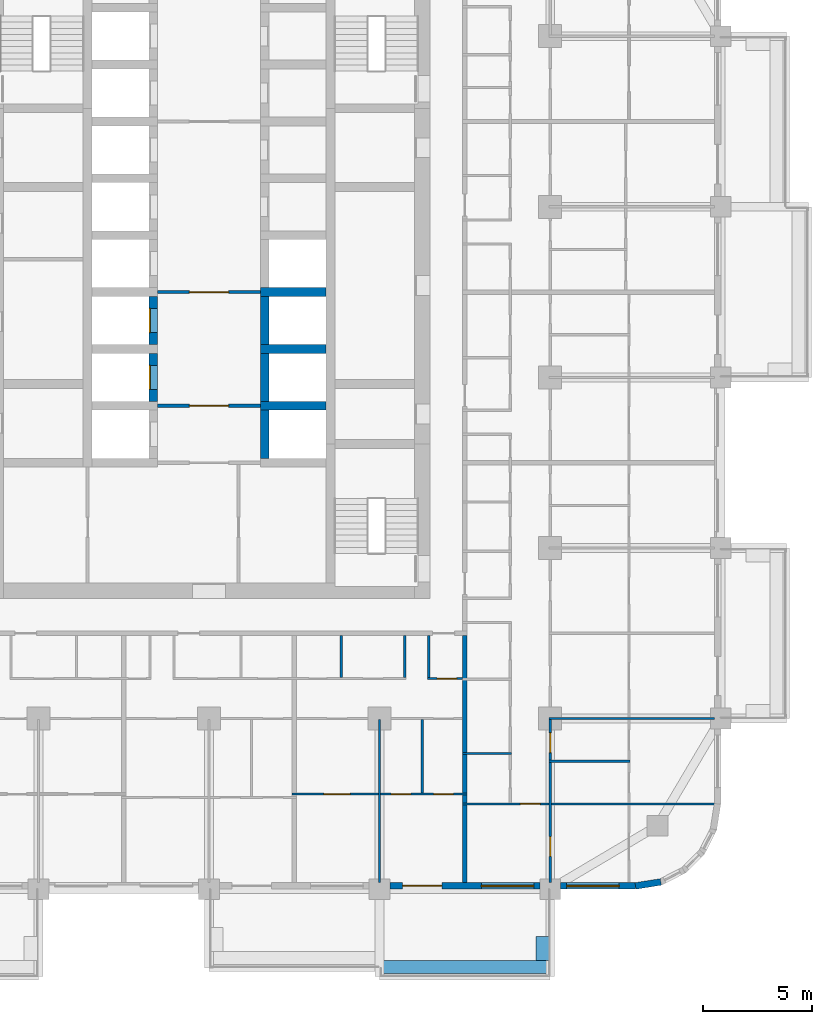
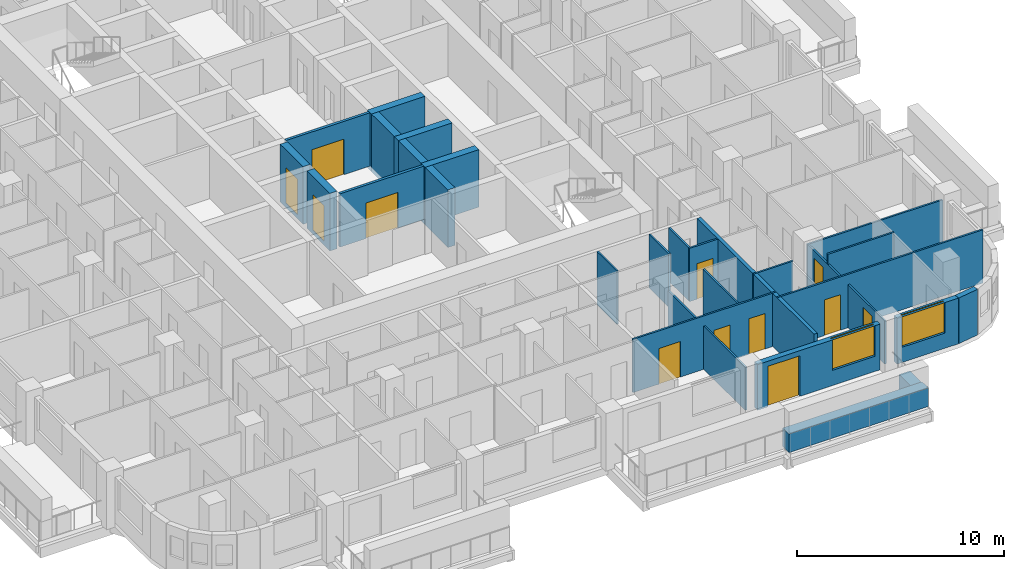
# One storey, part 7 of 18: 28 walls, 12 doors, 2 windows, 14 openings.
"""IFC4 building model written with IfcOpenShell, lengths in metres."""

from ifc_helpers import new_model, si_unit, direction, frame, frame_2d, origin, place, context, subcontext, project, spatial, rectangle, extrude, material, layer, layer_set, type_object, element, fill, save


model = new_model("IFC4")

# Units and contexts
model_context = context("Model", 3, precision=1e-05, world=origin(), true_north=direction((0.0, 1.0)))
body_context = subcontext(model_context, "Body", "Model", "MODEL_VIEW")
ifc_project = project(units=[si_unit("LENGTHUNIT", "METRE"), si_unit("AREAUNIT", "SQUARE_METRE"), si_unit("VOLUMEUNIT", "CUBIC_METRE"), si_unit("PLANEANGLEUNIT", "RADIAN"), si_unit("MASSUNIT", "GRAM", prefix="KILO")], contexts=[model_context])

# Site, building, storey
site_placement = place(None, origin())
site = spatial("IfcSite", under=ifc_project, at=site_placement, CompositionType="ELEMENT")
building_placement = place(site_placement, origin())
building = spatial("IfcBuilding", under=site, at=building_placement, Name="Ludao Terraces", CompositionType="ELEMENT")
storey_placement = place(building_placement, frame((0.0, 0.0, 75.0)))
storey = spatial("IfcBuildingStorey", under=building, at=storey_placement, Name="L20", CompositionType="ELEMENT", Elevation=75.0)

# Walls
ifc_material_1 = material(Name="Concrete C40", Category="concrete")
ifc_layer_1 = layer(ifc_material_1, 0.60009765625)
ifc_layer_set_1 = layer_set([ifc_layer_1], Name="ENV Planter trough 600")
wall_type_1 = type_object("IfcWallType", Name="ENV Planter trough 600", PredefinedType="USERDEFINED", material=ifc_layer_set_1)
wall_1_placement = place(storey_placement, frame((92.800048828125, 38.050048828125, 0.0), z_axis=(0.0, 0.0, 1.0), x_axis=(1.0, 0.0, 0.0)))
element("IfcWall", 1, at=wall_1_placement, inside=storey, type_object=wall_type_1, Name="PL-L20-S4", ObjectType="PLANTER", PredefinedType="USERDEFINED", context=body_context, shape_type="SweptSolid", body=[
    extrude(rectangle(XDim=7.800048828125, YDim=0.60009765625, at=frame_2d((3.89990234375, 0.0))), origin(), (0.0, 0.0, 1.0), 1.10009765625),
])
wall_2_placement = place(storey_placement, frame((100.25, 38.35009765625, 0.0), z_axis=(0.0, 0.0, 1.0), x_axis=(0.0, 1.0, 0.0)))
element("IfcWall", 2, at=wall_2_placement, inside=storey, type_object=wall_type_1, Name="PL-L20-S4-SB", ObjectType="PLANTER", PredefinedType="USERDEFINED", context=body_context, shape_type="SweptSolid", body=[
    extrude(rectangle(XDim=1.099853515625, YDim=0.60009765625, at=frame_2d((0.5498046875, 0.0))), origin(), (0.0, 0.0, 1.0), 1.10009765625),
])

# Wall, openings, door, window
ifc_material_2 = material(Name="Granite cladding", Category="masonry")
ifc_layer_2 = layer(ifc_material_2, 0.0400390625, Category="stone")
ifc_material_3 = material(Name="Mineral wool")
ifc_layer_3 = layer(ifc_material_3, 0.06005859375)
ifc_layer_4 = layer(ifc_material_1, 0.199951171875, Category="concrete")
ifc_layer_set_2 = layer_set([ifc_layer_2, ifc_layer_3, ifc_layer_4], Name="ENV Stone-clad wall 300")
wall_type_2 = type_object("IfcWallType", Name="ENV Stone-clad wall 300", PredefinedType="SOLIDWALL", material=ifc_layer_set_2)
wall_3_placement = place(storey_placement, frame((93.27490234375, 41.75, 0.0), z_axis=(0.0, 0.0, 1.0), x_axis=(1.0, 0.0, 0.0)))
wall_3 = element("IfcWall", 3, at=wall_3_placement, inside=storey, type_object=wall_type_2, Name="EW-L20-S5", PredefinedType="SOLIDWALL", context=body_context, shape_type="SweptSolid", body=[
    extrude(rectangle(XDim=6.85009765625, YDim=0.300048828125, at=frame_2d((3.425048828125, 0.0))), origin(), (0.0, 0.0, 1.0), 2.699951171875),
])
opening_1_placement = place(wall_3_placement, frame((0.574951171875, 0.0, 0.0)))
opening_1 = element("IfcOpeningElement", 4, at=opening_1_placement, cuts=wall_3, Name="Opening BD", PredefinedType="OPENING", context=body_context, shape_type="SweptSolid", body=[
    extrude(rectangle(XDim=1.800048828125, YDim=2.39990234375, at=frame_2d((0.89990234375, 1.199951171875))), frame((0.0, 0.16015625, 0.0), z_axis=(0.0, -1.0, 0.0), x_axis=(1.0, 0.0, 0.0)), (0.0, 0.0, 1.0), 0.320068359375),
])
opening_2_placement = place(wall_3_placement, frame((4.175048828125, 0.0, 0.89990234375)))
opening_2 = element("IfcOpeningElement", 5, at=opening_2_placement, cuts=wall_3, Name="Opening W1", PredefinedType="OPENING", context=body_context, shape_type="SweptSolid", body=[
    extrude(rectangle(XDim=2.39990234375, YDim=1.800048828125, at=frame_2d((1.199951171875, 0.89990234375))), frame((0.0, 0.16015625, 0.0), z_axis=(0.0, -1.0, 0.0), x_axis=(1.0, 0.0, 0.0)), (0.0, 0.0, 1.0), 0.320068359375),
])
ifc_material_4 = material(Name="Aluminium glazed door", Category="aluminium")
ifc_layer_5 = layer(ifc_material_4, 0.06005859375)
ifc_layer_set_3 = layer_set([ifc_layer_5], Name="ENV Balcony door BD 1800x2400")
door_type_1 = type_object("IfcDoorType", Name="ENV Balcony door BD 1800x2400", OperationType="DOUBLE_DOOR_SINGLE_SWING", PredefinedType="DOOR", material=ifc_layer_set_3)
door_1_placement = place(opening_1_placement, origin())
door_1 = element("IfcDoor", 6, at=door_1_placement, inside=storey, type_object=door_type_1, Name="BD-L20-S5-1", OperationType="DOUBLE_DOOR_SINGLE_SWING", OverallHeight=2.39990234375, OverallWidth=1.800048828125, PredefinedType="DOOR", context=body_context, shape_type="SweptSolid", body=[
    extrude(rectangle(XDim=1.800048828125, YDim=2.39990234375, at=frame_2d((0.89990234375, 1.199951171875))), frame((0.0, 0.02490234375, 0.0), z_axis=(0.0, -1.0, 0.0), x_axis=(1.0, 0.0, 0.0)), (0.0, 0.0, 1.0), 0.050048828125),
])
fill(opening_1, door_1)
ifc_material_5 = material(Name="Clear glass in aluminium frame", Category="aluminium")
ifc_layer_6 = layer(ifc_material_5, 0.06005859375)
ifc_layer_set_4 = layer_set([ifc_layer_6], Name="ENV Window W1 2400x1800")
window_type = type_object("IfcWindowType", Name="ENV Window W1 2400x1800", PartitioningType="DOUBLE_PANEL_VERTICAL", PredefinedType="WINDOW", material=ifc_layer_set_4)
window_1_placement = place(opening_2_placement, origin())
window_1 = element("IfcWindow", 7, at=window_1_placement, inside=storey, type_object=window_type, Name="W-L20-S5-2", OverallHeight=1.800048828125, OverallWidth=2.39990234375, PartitioningType="DOUBLE_PANEL_VERTICAL", PredefinedType="WINDOW", context=body_context, shape_type="SweptSolid", body=[
    extrude(rectangle(XDim=2.39990234375, YDim=1.800048828125, at=frame_2d((1.199951171875, 0.89990234375))), frame((0.0, 0.030029296875, 0.0), z_axis=(0.0, -1.0, 0.0), x_axis=(1.0, 0.0, 0.0)), (0.0, 0.0, 1.0), 0.06005859375),
])
fill(opening_2, window_1)

# Wall, opening, window
wall_4_placement = place(storey_placement, frame((101.074951171875, 41.75, 0.0), z_axis=(0.0, 0.0, 1.0), x_axis=(1.0, 0.0, 0.0)))
wall_4 = element("IfcWall", 8, at=wall_4_placement, inside=storey, type_object=wall_type_2, Name="EW-L20-S6", PredefinedType="SOLIDWALL", context=body_context, shape_type="SweptSolid", body=[
    extrude(rectangle(XDim=3.425048828125, YDim=0.300048828125, at=frame_2d((1.71240234375, 0.0))), origin(), (0.0, 0.0, 1.0), 2.699951171875),
])
opening_3_placement = place(wall_4_placement, frame((0.27490234375, 0.0, 0.89990234375)))
opening_3 = element("IfcOpeningElement", 9, at=opening_3_placement, cuts=wall_4, Name="Opening W1", PredefinedType="OPENING", context=body_context, shape_type="SweptSolid", body=[
    extrude(rectangle(XDim=2.39990234375, YDim=1.800048828125, at=frame_2d((1.199951171875, 0.89990234375))), frame((0.0, 0.16015625, 0.0), z_axis=(0.0, -1.0, 0.0), x_axis=(1.0, 0.0, 0.0)), (0.0, 0.0, 1.0), 0.320068359375),
])
window_2_placement = place(opening_3_placement, origin())
window_2 = element("IfcWindow", 10, at=window_2_placement, inside=storey, type_object=window_type, Name="W-L20-S6-1", OverallHeight=1.800048828125, OverallWidth=2.39990234375, PartitioningType="DOUBLE_PANEL_VERTICAL", PredefinedType="WINDOW", context=body_context, shape_type="SweptSolid", body=[
    extrude(rectangle(XDim=2.39990234375, YDim=1.800048828125, at=frame_2d((1.199951171875, 0.89990234375))), frame((0.0, 0.030029296875, 0.0), z_axis=(0.0, -1.0, 0.0), x_axis=(1.0, 0.0, 0.0)), (0.0, 0.0, 1.0), 0.06005859375),
])
fill(opening_3, window_2)

# Wall
wall_5_placement = place(storey_placement, frame((104.5, 41.75, 0.0), z_axis=(0.0, 0.0, 1.0), x_axis=(0.987678452879, 0.156496880861, 0.0)))
element("IfcWall", 11, at=wall_5_placement, inside=storey, type_object=wall_type_2, Name="EW-L20-SE1", PredefinedType="SOLIDWALL", context=body_context, shape_type="SweptSolid", body=[
    extrude(rectangle(XDim=1.173095703125, YDim=0.300048828125, at=frame_2d((0.58642578125, 0.0))), origin(), (0.0, 0.0, 1.0), 2.699951171875),
])

# Wall, opening, door
ifc_material_6 = material(Name="Fire-rated gypsum plasterboard", Category="gypsum")
ifc_layer_7 = layer(ifc_material_6, 0.012451171875, Category="gypsum")
ifc_layer_8 = layer(ifc_material_3, 0.10009765625, Name="insulation")
ifc_material_7 = material(Name="Steel Q235", Category="steel")
ifc_layer_9 = layer(ifc_material_7, 0.02490234375, Name="stud")
ifc_layer_10 = layer(ifc_material_6, 0.012451171875, Category="gypsum")
ifc_layer_set_5 = layer_set([ifc_layer_7, ifc_layer_8, ifc_layer_9, ifc_layer_10], Name="INT Core partition 150")
wall_type_3 = type_object("IfcWallType", Name="INT Core partition 150", PredefinedType="PARTITIONING", material=ifc_layer_set_5)
wall_6_placement = place(storey_placement, frame((82.650146484375, 63.699951171875, 0.0), z_axis=(0.0, 0.0, 1.0), x_axis=(1.0, 0.0, 0.0)))
wall_6 = element("IfcWall", 12, at=wall_6_placement, inside=storey, type_object=wall_type_3, Name="PW-L20-PW039", PredefinedType="PARTITIONING", context=body_context, shape_type="SweptSolid", body=[
    extrude(rectangle(XDim=4.699951171875, YDim=0.14990234375, at=frame_2d((2.35009765625, 0.0))), origin(), (0.0, 0.0, 1.0), 3.14990234375),
])
opening_4_placement = place(wall_6_placement, frame((1.449951171875, 0.0, 0.0)))
opening_4 = element("IfcOpeningElement", 13, at=opening_4_placement, cuts=wall_6, Name="Opening R06-082", PredefinedType="OPENING", context=body_context, shape_type="SweptSolid", body=[
    extrude(rectangle(XDim=1.800048828125, YDim=2.10009765625, at=frame_2d((0.89990234375, 1.050048828125))), frame((0.0, 0.0849609375, 0.0), z_axis=(0.0, -1.0, 0.0), x_axis=(1.0, 0.0, 0.0)), (0.0, 0.0, 1.0), 0.169921875),
])
door_type_2 = type_object("IfcDoorType", Name="INT Fire lobby door 1800", OperationType="DOUBLE_DOOR_SINGLE_SWING", PredefinedType="DOOR", material=ifc_material_7)
door_2_placement = place(opening_4_placement, origin())
door_2 = element("IfcDoor", 14, at=door_2_placement, inside=storey, type_object=door_type_2, Name="DOOR 082", OperationType="DOUBLE_DOOR_SINGLE_SWING", OverallHeight=2.10009765625, OverallWidth=1.800048828125, PredefinedType="DOOR", context=body_context, shape_type="SweptSolid", body=[
    extrude(rectangle(XDim=1.800048828125, YDim=2.10009765625, at=frame_2d((0.89990234375, 1.050048828125))), frame((0.0, 0.02490234375, 0.0), z_axis=(0.0, -1.0, 0.0), x_axis=(1.0, 0.0, 0.0)), (0.0, 0.0, 1.0), 0.050048828125),
])
fill(opening_4, door_2)

wall_7_placement = place(storey_placement, frame((82.650146484375, 68.89990234375, 0.0), z_axis=(0.0, 0.0, 1.0), x_axis=(1.0, 0.0, 0.0)))
wall_7 = element("IfcWall", 15, at=wall_7_placement, inside=storey, type_object=wall_type_3, Name="PW-L20-PW048", PredefinedType="PARTITIONING", context=body_context, shape_type="SweptSolid", body=[
    extrude(rectangle(XDim=4.699951171875, YDim=0.14990234375, at=frame_2d((2.35009765625, 0.0))), origin(), (0.0, 0.0, 1.0), 3.14990234375),
])
opening_5_placement = place(wall_7_placement, frame((1.449951171875, 0.0, 0.0)))
opening_5 = element("IfcOpeningElement", 16, at=opening_5_placement, cuts=wall_7, Name="Opening R06-098", PredefinedType="OPENING", context=body_context, shape_type="SweptSolid", body=[
    extrude(rectangle(XDim=1.800048828125, YDim=2.10009765625, at=frame_2d((0.89990234375, 1.050048828125))), frame((0.0, 0.0849609375, 0.0), z_axis=(0.0, -1.0, 0.0), x_axis=(1.0, 0.0, 0.0)), (0.0, 0.0, 1.0), 0.169921875),
])
door_3_placement = place(opening_5_placement, origin())
door_3 = element("IfcDoor", 17, at=door_3_placement, inside=storey, type_object=door_type_2, Name="DOOR 098", OperationType="DOUBLE_DOOR_SINGLE_SWING", OverallHeight=2.10009765625, OverallWidth=1.800048828125, PredefinedType="DOOR", context=body_context, shape_type="SweptSolid", body=[
    extrude(rectangle(XDim=1.800048828125, YDim=2.10009765625, at=frame_2d((0.89990234375, 1.050048828125))), frame((0.0, 0.02490234375, 0.0), z_axis=(0.0, -1.0, 0.0), x_axis=(1.0, 0.0, 0.0)), (0.0, 0.0, 1.0), 0.050048828125),
])
fill(opening_5, door_3)

ifc_material_8 = material(Name="Gypsum plasterboard", Category="gypsum")
ifc_layer_11 = layer(ifc_material_8, 0.012451171875, Category="gypsum")
ifc_layer_12 = layer(ifc_material_3, 0.06005859375, Name="insulation")
ifc_layer_13 = layer(ifc_material_7, 0.014892578125, Name="stud")
ifc_layer_14 = layer(ifc_material_8, 0.012451171875, Category="gypsum")
ifc_layer_set_6 = layer_set([ifc_layer_11, ifc_layer_12, ifc_layer_13, ifc_layer_14], Name="INT Partition 100")
wall_type_4 = type_object("IfcWallType", Name="INT Partition 100", PredefinedType="PARTITIONING", material=ifc_layer_set_6)
wall_8_placement = place(storey_placement, frame((96.60009765625, 45.5, 0.0), z_axis=(0.0, 0.0, 1.0), x_axis=(1.0, 0.0, 0.0)))
wall_8 = element("IfcWall", 18, at=wall_8_placement, inside=storey, type_object=wall_type_4, Name="PW-L20-PW001", PredefinedType="PARTITIONING", context=body_context, shape_type="SweptSolid", body=[
    extrude(rectangle(XDim=11.5, YDim=0.10009765625, at=frame_2d((5.75, 0.0))), origin(), (0.0, 0.0, 1.0), 3.14990234375),
])
opening_6_placement = place(wall_8_placement, frame((2.635009765625, 0.0, 0.0)))
opening_6 = element("IfcOpeningElement", 19, at=opening_6_placement, cuts=wall_8, Name="Opening R06-006", PredefinedType="OPENING", context=body_context, shape_type="SweptSolid", body=[
    extrude(rectangle(XDim=0.89990234375, YDim=2.10009765625, at=frame_2d((0.449951171875, 1.050048828125))), frame((0.0, 0.06005859375, 0.0), z_axis=(0.0, -1.0, 0.0), x_axis=(1.0, 0.0, 0.0)), (0.0, 0.0, 1.0), 0.1201171875),
])
ifc_material_9 = material(Name="Timber door leaf", Category="wood")
door_type_3 = type_object("IfcDoorType", Name="INT Room door 900", OperationType="SINGLE_SWING_LEFT", PredefinedType="DOOR", material=ifc_material_9)
door_4_placement = place(opening_6_placement, origin())
door_4 = element("IfcDoor", 20, at=door_4_placement, inside=storey, type_object=door_type_3, Name="DOOR 006", OperationType="SINGLE_SWING_RIGHT", OverallHeight=2.10009765625, OverallWidth=0.89990234375, PredefinedType="DOOR", context=body_context, shape_type="SweptSolid", body=[
    extrude(rectangle(XDim=0.89990234375, YDim=2.10009765625, at=frame_2d((0.449951171875, 1.050048828125))), frame((0.0, 0.02490234375, 0.0), z_axis=(0.0, -1.0, 0.0), x_axis=(1.0, 0.0, 0.0)), (0.0, 0.0, 1.0), 0.050048828125),
])
fill(opening_6, door_4)

# Wall, openings, doors
wall_9_placement = place(storey_placement, frame((88.800048828125, 45.949951171875, 0.0), z_axis=(0.0, 0.0, 1.0), x_axis=(1.0, 0.0, 0.0)))
wall_9 = element("IfcWall", 21, at=wall_9_placement, inside=storey, type_object=wall_type_4, Name="PW-L20-PW004", PredefinedType="PARTITIONING", context=body_context, shape_type="SweptSolid", body=[
    extrude(rectangle(XDim=8.0, YDim=0.10009765625, at=frame_2d((4.0, 0.0))), origin(), (0.0, 0.0, 1.0), 3.14990234375),
])
opening_7_placement = place(wall_9_placement, frame((1.449951171875, 0.0, 0.0)))
opening_7 = element("IfcOpeningElement", 22, at=opening_7_placement, cuts=wall_9, Name="Opening R06-013", PredefinedType="OPENING", context=body_context, shape_type="SweptSolid", body=[
    extrude(rectangle(XDim=1.199951171875, YDim=2.10009765625, at=frame_2d((0.60009765625, 1.050048828125))), frame((0.0, 0.06005859375, 0.0), z_axis=(0.0, -1.0, 0.0), x_axis=(1.0, 0.0, 0.0)), (0.0, 0.0, 1.0), 0.1201171875),
])
opening_8_placement = place(wall_9_placement, frame((4.52490234375, 0.0, 0.0)))
opening_8 = element("IfcOpeningElement", 23, at=opening_8_placement, cuts=wall_9, Name="Opening R06-014", PredefinedType="OPENING", context=body_context, shape_type="SweptSolid", body=[
    extrude(rectangle(XDim=0.89990234375, YDim=2.10009765625, at=frame_2d((0.449951171875, 1.050048828125))), frame((0.0, 0.06005859375, 0.0), z_axis=(0.0, -1.0, 0.0), x_axis=(1.0, 0.0, 0.0)), (0.0, 0.0, 1.0), 0.1201171875),
])
opening_9_placement = place(wall_9_placement, frame((6.47509765625, 0.0, 0.0)))
opening_9 = element("IfcOpeningElement", 24, at=opening_9_placement, cuts=wall_9, Name="Opening R06-015", PredefinedType="OPENING", context=body_context, shape_type="SweptSolid", body=[
    extrude(rectangle(XDim=0.89990234375, YDim=2.10009765625, at=frame_2d((0.449951171875, 1.050048828125))), frame((0.0, 0.06005859375, 0.0), z_axis=(0.0, -1.0, 0.0), x_axis=(1.0, 0.0, 0.0)), (0.0, 0.0, 1.0), 0.1201171875),
])
door_type_4 = type_object("IfcDoorType", Name="INT Bathroom door 900", OperationType="SINGLE_SWING_LEFT", PredefinedType="DOOR", material=ifc_material_9)
door_5_placement = place(opening_8_placement, origin())
door_5 = element("IfcDoor", 25, at=door_5_placement, inside=storey, type_object=door_type_4, Name="DOOR 014", OperationType="SINGLE_SWING_LEFT", OverallHeight=2.10009765625, OverallWidth=0.89990234375, PredefinedType="DOOR", context=body_context, shape_type="SweptSolid", body=[
    extrude(rectangle(XDim=0.89990234375, YDim=2.10009765625, at=frame_2d((0.449951171875, 1.050048828125))), frame((0.0, 0.02490234375, 0.0), z_axis=(0.0, -1.0, 0.0), x_axis=(1.0, 0.0, 0.0)), (0.0, 0.0, 1.0), 0.050048828125),
])
fill(opening_8, door_5)
door_type_5 = type_object("IfcDoorType", Name="INT Double door 1200", OperationType="DOUBLE_DOOR_SINGLE_SWING", PredefinedType="DOOR", material=ifc_material_9)
door_6_placement = place(opening_7_placement, origin())
door_6 = element("IfcDoor", 26, at=door_6_placement, inside=storey, type_object=door_type_5, Name="DOOR 013", OperationType="DOUBLE_DOOR_SINGLE_SWING", OverallHeight=2.10009765625, OverallWidth=1.199951171875, PredefinedType="DOOR", context=body_context, shape_type="SweptSolid", body=[
    extrude(rectangle(XDim=1.199951171875, YDim=2.10009765625, at=frame_2d((0.60009765625, 1.050048828125))), frame((0.0, 0.02490234375, 0.0), z_axis=(0.0, -1.0, 0.0), x_axis=(1.0, 0.0, 0.0)), (0.0, 0.0, 1.0), 0.050048828125),
])
fill(opening_7, door_6)
door_7_placement = place(opening_9_placement, origin())
door_7 = element("IfcDoor", 27, at=door_7_placement, inside=storey, type_object=door_type_3, Name="DOOR 015", OperationType="SINGLE_SWING_RIGHT", OverallHeight=2.10009765625, OverallWidth=0.89990234375, PredefinedType="DOOR", context=body_context, shape_type="SweptSolid", body=[
    extrude(rectangle(XDim=0.89990234375, YDim=2.10009765625, at=frame_2d((0.449951171875, 1.050048828125))), frame((0.0, 0.02490234375, 0.0), z_axis=(0.0, -1.0, 0.0), x_axis=(1.0, 0.0, 0.0)), (0.0, 0.0, 1.0), 0.050048828125),
])
fill(opening_9, door_7)

# Walls
wall_10_placement = place(storey_placement, frame((100.550048828125, 47.449951171875, 0.0), z_axis=(0.0, 0.0, 1.0), x_axis=(1.0, 0.0, 0.0)))
element("IfcWall", 28, at=wall_10_placement, inside=storey, type_object=wall_type_4, Name="PW-L20-PW005", PredefinedType="PARTITIONING", context=body_context, shape_type="SweptSolid", body=[
    extrude(rectangle(XDim=3.699951171875, YDim=0.10009765625, at=frame_2d((1.85009765625, 0.0))), origin(), (0.0, 0.0, 1.0), 3.14990234375),
])
wall_11_placement = place(storey_placement, frame((96.60009765625, 47.800048828125, 0.0), z_axis=(0.0, 0.0, 1.0), x_axis=(1.0, 0.0, 0.0)))
element("IfcWall", 29, at=wall_11_placement, inside=storey, type_object=wall_type_4, Name="PW-L20-PW007", PredefinedType="PARTITIONING", context=body_context, shape_type="SweptSolid", body=[
    extrude(rectangle(XDim=2.219970703125, YDim=0.10009765625, at=frame_2d((1.10986328125, 0.0))), origin(), (0.0, 0.0, 1.0), 3.14990234375),
])
wall_12_placement = place(storey_placement, frame((100.550048828125, 49.39990234375, 0.0), z_axis=(0.0, 0.0, 1.0), x_axis=(1.0, 0.0, 0.0)))
element("IfcWall", 30, at=wall_12_placement, inside=storey, type_object=wall_type_4, Name="PW-L20-PW010", PredefinedType="PARTITIONING", context=body_context, shape_type="SweptSolid", body=[
    extrude(rectangle(XDim=7.550048828125, YDim=0.10009765625, at=frame_2d((3.77490234375, 0.0))), origin(), (0.0, 0.0, 1.0), 2.550048828125),
])

# Wall, opening, door
wall_13_placement = place(storey_placement, frame((95.0, 51.22998046875, 0.0), z_axis=(0.0, 0.0, 1.0), x_axis=(1.0, 0.0, 0.0)))
wall_13 = element("IfcWall", 31, at=wall_13_placement, inside=storey, type_object=wall_type_4, Name="PW-L20-PW016", PredefinedType="PARTITIONING", context=body_context, shape_type="SweptSolid", body=[
    extrude(rectangle(XDim=1.60009765625, YDim=0.10009765625, at=frame_2d((0.800048828125, 0.0))), origin(), (0.0, 0.0, 1.0), 3.14990234375),
])
opening_10_placement = place(wall_13_placement, frame((0.425048828125, 0.0, 0.0)))
opening_10 = element("IfcOpeningElement", 32, at=opening_10_placement, cuts=wall_13, Name="Opening R06-041", PredefinedType="OPENING", context=body_context, shape_type="SweptSolid", body=[
    extrude(rectangle(XDim=0.89990234375, YDim=2.10009765625, at=frame_2d((0.449951171875, 1.050048828125))), frame((0.0, 0.06005859375, 0.0), z_axis=(0.0, -1.0, 0.0), x_axis=(1.0, 0.0, 0.0)), (0.0, 0.0, 1.0), 0.1201171875),
])
door_8_placement = place(opening_10_placement, origin())
door_8 = element("IfcDoor", 33, at=door_8_placement, inside=storey, type_object=door_type_4, Name="DOOR 041", OperationType="SINGLE_SWING_LEFT", OverallHeight=2.10009765625, OverallWidth=0.89990234375, PredefinedType="DOOR", context=body_context, shape_type="SweptSolid", body=[
    extrude(rectangle(XDim=0.89990234375, YDim=2.10009765625, at=frame_2d((0.449951171875, 1.050048828125))), frame((0.0, 0.02490234375, 0.0), z_axis=(0.0, -1.0, 0.0), x_axis=(1.0, 0.0, 0.0)), (0.0, 0.0, 1.0), 0.050048828125),
])
fill(opening_10, door_8)

# Walls
wall_14_placement = place(storey_placement, frame((91.050048828125, 51.280029296875, 0.0), z_axis=(0.0, 0.0, 1.0), x_axis=(0.0, 1.0, 0.0)))
element("IfcWall", 34, at=wall_14_placement, inside=storey, type_object=wall_type_4, Name="PW-L20-PW109", PredefinedType="PARTITIONING", context=body_context, shape_type="SweptSolid", body=[
    extrude(rectangle(XDim=1.920166015625, YDim=0.10009765625, at=frame_2d((0.9599609375, 0.0))), origin(), (0.0, 0.0, 1.0), 3.14990234375),
])
wall_15_placement = place(storey_placement, frame((92.800048828125, 41.900146484375, 0.0), z_axis=(0.0, 0.0, 1.0), x_axis=(0.0, 1.0, 0.0)))
element("IfcWall", 35, at=wall_15_placement, inside=storey, type_object=wall_type_4, Name="PW-L20-PW110", PredefinedType="PARTITIONING", context=body_context, shape_type="SweptSolid", body=[
    extrude(rectangle(XDim=7.449951171875, YDim=0.10009765625, at=frame_2d((3.72509765625, 0.0))), origin(), (0.0, 0.0, 1.0), 2.550048828125),
])
wall_16_placement = place(storey_placement, frame((93.949951171875, 51.280029296875, 0.0), z_axis=(0.0, 0.0, 1.0), x_axis=(0.0, 1.0, 0.0)))
element("IfcWall", 36, at=wall_16_placement, inside=storey, type_object=wall_type_4, Name="PW-L20-PW112", PredefinedType="PARTITIONING", context=body_context, shape_type="SweptSolid", body=[
    extrude(rectangle(XDim=1.920166015625, YDim=0.10009765625, at=frame_2d((0.9599609375, 0.0))), origin(), (0.0, 0.0, 1.0), 3.14990234375),
])
wall_17_placement = place(storey_placement, frame((94.75, 46.0, 0.0), z_axis=(0.0, 0.0, 1.0), x_axis=(0.0, 1.0, 0.0)))
element("IfcWall", 37, at=wall_17_placement, inside=storey, type_object=wall_type_4, Name="PW-L20-PW113", PredefinedType="PARTITIONING", context=body_context, shape_type="SweptSolid", body=[
    extrude(rectangle(XDim=3.35009765625, YDim=0.10009765625, at=frame_2d((1.675048828125, 0.0))), origin(), (0.0, 0.0, 1.0), 3.14990234375),
])
wall_18_placement = place(storey_placement, frame((95.050048828125, 51.280029296875, 0.0), z_axis=(0.0, 0.0, 1.0), x_axis=(0.0, 1.0, 0.0)))
element("IfcWall", 38, at=wall_18_placement, inside=storey, type_object=wall_type_4, Name="PW-L20-PW114", PredefinedType="PARTITIONING", context=body_context, shape_type="SweptSolid", body=[
    extrude(rectangle(XDim=1.920166015625, YDim=0.10009765625, at=frame_2d((0.9599609375, 0.0))), origin(), (0.0, 0.0, 1.0), 3.14990234375),
])

# Wall, openings, doors
wall_19_placement = place(storey_placement, frame((100.60009765625, 41.900146484375, 0.0), z_axis=(0.0, 0.0, 1.0), x_axis=(0.0, 1.0, 0.0)))
wall_19 = element("IfcWall", 39, at=wall_19_placement, inside=storey, type_object=wall_type_4, Name="PW-L20-PW123", PredefinedType="PARTITIONING", context=body_context, shape_type="SweptSolid", body=[
    extrude(rectangle(XDim=7.499755859375, YDim=0.10009765625, at=frame_2d((3.75, 0.0))), origin(), (0.0, 0.0, 1.0), 2.550048828125),
])
opening_11_placement = place(wall_19_placement, frame((1.199951171875, 0.0, 0.0)))
opening_11 = element("IfcOpeningElement", 40, at=opening_11_placement, cuts=wall_19, Name="Opening R06-003", PredefinedType="OPENING", context=body_context, shape_type="SweptSolid", body=[
    extrude(rectangle(XDim=0.89990234375, YDim=2.10009765625, at=frame_2d((0.449951171875, 1.050048828125))), frame((0.0, 0.06005859375, 0.0), z_axis=(0.0, -1.0, 0.0), x_axis=(1.0, 0.0, 0.0)), (0.0, 0.0, 1.0), 0.1201171875),
])
opening_12_placement = place(wall_19_placement, frame((5.949951171875, 0.0, 0.0)))
opening_12 = element("IfcOpeningElement", 41, at=opening_12_placement, cuts=wall_19, Name="Opening R06-021", PredefinedType="OPENING", context=body_context, shape_type="SweptSolid", body=[
    extrude(rectangle(XDim=0.89990234375, YDim=2.10009765625, at=frame_2d((0.449951171875, 1.050048828125))), frame((0.0, 0.06005859375, 0.0), z_axis=(0.0, -1.0, 0.0), x_axis=(1.0, 0.0, 0.0)), (0.0, 0.0, 1.0), 0.1201171875),
])
door_9_placement = place(opening_11_placement, origin())
door_9 = element("IfcDoor", 42, at=door_9_placement, inside=storey, type_object=door_type_3, Name="DOOR 003", OperationType="SINGLE_SWING_RIGHT", OverallHeight=2.10009765625, OverallWidth=0.89990234375, PredefinedType="DOOR", context=body_context, shape_type="SweptSolid", body=[
    extrude(rectangle(XDim=0.89990234375, YDim=2.10009765625, at=frame_2d((0.449951171875, 1.050048828125))), frame((0.0, 0.02490234375, 0.0), z_axis=(0.0, -1.0, 0.0), x_axis=(1.0, 0.0, 0.0)), (0.0, 0.0, 1.0), 0.050048828125),
])
fill(opening_11, door_9)
door_10_placement = place(opening_12_placement, origin())
door_10 = element("IfcDoor", 43, at=door_10_placement, inside=storey, type_object=door_type_3, Name="DOOR 021", OperationType="SINGLE_SWING_RIGHT", OverallHeight=2.10009765625, OverallWidth=0.89990234375, PredefinedType="DOOR", context=body_context, shape_type="SweptSolid", body=[
    extrude(rectangle(XDim=0.89990234375, YDim=2.10009765625, at=frame_2d((0.449951171875, 1.050048828125))), frame((0.0, 0.02490234375, 0.0), z_axis=(0.0, -1.0, 0.0), x_axis=(1.0, 0.0, 0.0)), (0.0, 0.0, 1.0), 0.050048828125),
])
fill(opening_12, door_10)

# Wall
ifc_material_10 = material(Name="Autoclaved aerated concrete block B06 A3.5", Category="concrete")
ifc_layer_15 = layer(ifc_material_10, 0.199951171875)
ifc_layer_set_7 = layer_set([ifc_layer_15], Name="INT Party wall 200")
wall_type_5 = type_object("IfcWallType", Name="INT Party wall 200", PredefinedType="PARTITIONING", material=ifc_layer_set_7)
wall_20_placement = place(storey_placement, frame((96.699951171875, 41.900146484375, 0.0), z_axis=(0.0, 0.0, 1.0), x_axis=(0.0, 1.0, 0.0)))
element("IfcWall", 44, at=wall_20_placement, inside=storey, type_object=wall_type_5, Name="PW-L20-PW115", PredefinedType="PARTITIONING", context=body_context, shape_type="SweptSolid", body=[
    extrude(rectangle(XDim=11.300048828125, YDim=0.199951171875, at=frame_2d((5.64990234375, 0.0))), origin(), (0.0, 0.0, 1.0), 3.14990234375),
])

# Wall, opening, door
ifc_material_11 = material(Name="Concrete C60", Category="concrete")
ifc_layer_16 = layer(ifc_material_11, 0.39990234375)
ifc_layer_set_8 = layer_set([ifc_layer_16], Name="Shaft wall 400 C60")
wall_type_6 = type_object("IfcWallType", Name="Shaft wall 400 C60", PredefinedType="SOLIDWALL", material=ifc_layer_set_8)
wall_21_placement = place(storey_placement, frame((82.449951171875, 63.89990234375, -0.25), z_axis=(0.0, 0.0, 1.0), x_axis=(0.0, 1.0, 0.0)))
wall_21 = element("IfcWall", 45, at=wall_21_placement, inside=storey, type_object=wall_type_6, Name="Core wall L20 front-W2", PredefinedType="SOLIDWALL", context=body_context, shape_type="SweptSolid", body=[
    extrude(rectangle(XDim=2.2001953125, YDim=0.39990234375, at=frame_2d((1.10009765625, 0.0))), origin(), (0.0, 0.0, 1.0), 3.39990234375),
])
opening_13_placement = place(wall_21_placement, frame((0.550048828125, 0.0, 0.25)))
opening_13 = element("IfcOpeningElement", 46, at=opening_13_placement, cuts=wall_21, Name="Opening LD-LA2", PredefinedType="OPENING", context=body_context, shape_type="SweptSolid", body=[
    extrude(rectangle(XDim=1.10009765625, YDim=2.10009765625, at=frame_2d((0.550048828125, 1.050048828125))), frame((0.0, 0.2099609375, 0.0), z_axis=(0.0, -1.0, 0.0), x_axis=(1.0, 0.0, 0.0)), (0.0, 0.0, 1.0), 0.419921875),
])
ifc_material_12 = material(Name="Stainless steel 304", Category="steel")
door_type_6 = type_object("IfcDoorType", Name="INT Lift landing door 1100", OperationType="SLIDING_TO_LEFT", PredefinedType="DOOR", material=ifc_material_12)
door_11_placement = place(opening_13_placement, origin())
door_11 = element("IfcDoor", 47, at=door_11_placement, inside=storey, type_object=door_type_6, Name="LANDING DOOR LA2 L20", OperationType="SLIDING_TO_RIGHT", OverallHeight=2.10009765625, OverallWidth=1.10009765625, PredefinedType="DOOR", context=body_context, shape_type="SweptSolid", body=[
    extrude(rectangle(XDim=1.10009765625, YDim=2.10009765625, at=frame_2d((0.550048828125, 1.050048828125))), frame((0.0, 0.18505859375, 0.0), z_axis=(0.0, -1.0, 0.0), x_axis=(1.0, 0.0, 0.0)), (0.0, 0.0, 1.0), 0.050048828125),
])
fill(opening_13, door_11)

wall_22_placement = place(storey_placement, frame((82.449951171875, 66.5, -0.25), z_axis=(0.0, 0.0, 1.0), x_axis=(0.0, 1.0, 0.0)))
wall_22 = element("IfcWall", 48, at=wall_22_placement, inside=storey, type_object=wall_type_6, Name="Core wall L20 front-W3", PredefinedType="SOLIDWALL", context=body_context, shape_type="SweptSolid", body=[
    extrude(rectangle(XDim=2.199951171875, YDim=0.39990234375, at=frame_2d((1.10009765625, 0.0))), origin(), (0.0, 0.0, 1.0), 3.39990234375),
])
opening_14_placement = place(wall_22_placement, frame((0.550048828125, 0.0, 0.25)))
opening_14 = element("IfcOpeningElement", 49, at=opening_14_placement, cuts=wall_22, Name="Opening LD-LA3", PredefinedType="OPENING", context=body_context, shape_type="SweptSolid", body=[
    extrude(rectangle(XDim=1.10009765625, YDim=2.10009765625, at=frame_2d((0.550048828125, 1.050048828125))), frame((0.0, 0.2099609375, 0.0), z_axis=(0.0, -1.0, 0.0), x_axis=(1.0, 0.0, 0.0)), (0.0, 0.0, 1.0), 0.419921875),
])
door_12_placement = place(opening_14_placement, origin())
door_12 = element("IfcDoor", 50, at=door_12_placement, inside=storey, type_object=door_type_6, Name="LANDING DOOR LA3 L20", OperationType="SLIDING_TO_RIGHT", OverallHeight=2.10009765625, OverallWidth=1.10009765625, PredefinedType="DOOR", context=body_context, shape_type="SweptSolid", body=[
    extrude(rectangle(XDim=1.10009765625, YDim=2.10009765625, at=frame_2d((0.550048828125, 1.050048828125))), frame((0.0, 0.18505859375, 0.0), z_axis=(0.0, -1.0, 0.0), x_axis=(1.0, 0.0, 0.0)), (0.0, 0.0, 1.0), 0.050048828125),
])
fill(opening_14, door_12)

# Walls
wall_23_placement = place(storey_placement, frame((87.550048828125, 61.300048828125, -0.25), z_axis=(0.0, 0.0, 1.0), x_axis=(0.0, 1.0, 0.0)))
element("IfcWall", 51, at=wall_23_placement, inside=storey, type_object=wall_type_6, Name="Core wall L20 front-E1", PredefinedType="SOLIDWALL", context=body_context, shape_type="SweptSolid", body=[
    extrude(rectangle(XDim=2.199951171875, YDim=0.39990234375, at=frame_2d((1.10009765625, 0.0))), origin(), (0.0, 0.0, 1.0), 3.39990234375),
])
wall_24_placement = place(storey_placement, frame((87.35009765625, 63.699951171875, -0.25), z_axis=(0.0, 0.0, 1.0), x_axis=(1.0, 0.0, 0.0)))
element("IfcWall", 52, at=wall_24_placement, inside=storey, type_object=wall_type_6, Name="Core wall L20 div-E2", PredefinedType="SOLIDWALL", context=body_context, shape_type="SweptSolid", body=[
    extrude(rectangle(XDim=3.0, YDim=0.39990234375, at=frame_2d((1.5, 0.0))), origin(), (0.0, 0.0, 1.0), 3.39990234375),
])
wall_25_placement = place(storey_placement, frame((87.550048828125, 63.89990234375, -0.25), z_axis=(0.0, 0.0, 1.0), x_axis=(0.0, 1.0, 0.0)))
element("IfcWall", 53, at=wall_25_placement, inside=storey, type_object=wall_type_6, Name="Core wall L20 front-E2", PredefinedType="SOLIDWALL", context=body_context, shape_type="SweptSolid", body=[
    extrude(rectangle(XDim=2.2001953125, YDim=0.39990234375, at=frame_2d((1.10009765625, 0.0))), origin(), (0.0, 0.0, 1.0), 3.39990234375),
])
wall_26_placement = place(storey_placement, frame((87.35009765625, 66.300048828125, -0.25), z_axis=(0.0, 0.0, 1.0), x_axis=(1.0, 0.0, 0.0)))
element("IfcWall", 54, at=wall_26_placement, inside=storey, type_object=wall_type_6, Name="Core wall L20 div-E3", PredefinedType="SOLIDWALL", context=body_context, shape_type="SweptSolid", body=[
    extrude(rectangle(XDim=3.0, YDim=0.39990234375, at=frame_2d((1.5, 0.0))), origin(), (0.0, 0.0, 1.0), 3.39990234375),
])
wall_27_placement = place(storey_placement, frame((87.550048828125, 66.5, -0.25), z_axis=(0.0, 0.0, 1.0), x_axis=(0.0, 1.0, 0.0)))
element("IfcWall", 55, at=wall_27_placement, inside=storey, type_object=wall_type_6, Name="Core wall L20 front-E3", PredefinedType="SOLIDWALL", context=body_context, shape_type="SweptSolid", body=[
    extrude(rectangle(XDim=2.199951171875, YDim=0.39990234375, at=frame_2d((1.10009765625, 0.0))), origin(), (0.0, 0.0, 1.0), 3.39990234375),
])
wall_28_placement = place(storey_placement, frame((87.35009765625, 68.89990234375, -0.25), z_axis=(0.0, 0.0, 1.0), x_axis=(1.0, 0.0, 0.0)))
element("IfcWall", 56, at=wall_28_placement, inside=storey, type_object=wall_type_6, Name="Core wall L20 div-E4", PredefinedType="SOLIDWALL", context=body_context, shape_type="SweptSolid", body=[
    extrude(rectangle(XDim=3.0, YDim=0.39990234375, at=frame_2d((1.5, 0.0))), origin(), (0.0, 0.0, 1.0), 3.39990234375),
])

save(model, "model.ifc")
